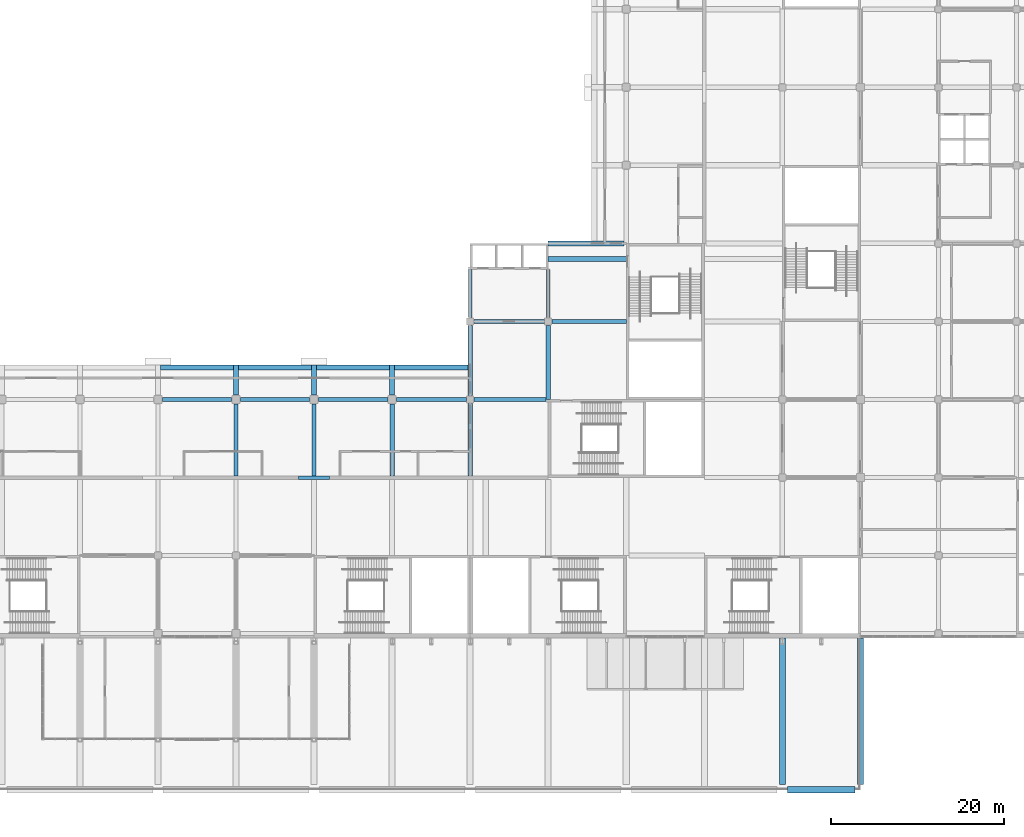
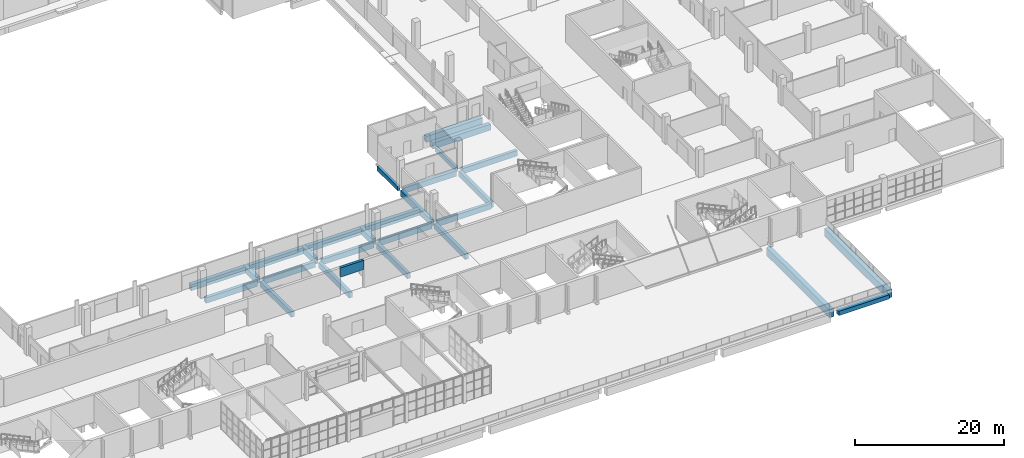
# One storey, part 48 of 168: 28 beams.
"""IFC4 building model written with IfcOpenShell, lengths in metres."""

from ifc_helpers import new_model, si_unit, direction, frame, origin, origin_2d, place, context, subcontext, project, spatial, rectangle, extrude, material, material_profile, profile_set, type_object, element, save


model = new_model("IFC4")

# Units and contexts
model_context = context("Model", 3, precision=1e-05, world=origin(), true_north=direction((0.0, 1.0)))
body_context = subcontext(model_context, "Body", "Model", "MODEL_VIEW")
ifc_project = project(units=[si_unit("LENGTHUNIT", "METRE"), si_unit("AREAUNIT", "SQUARE_METRE"), si_unit("VOLUMEUNIT", "CUBIC_METRE"), si_unit("PLANEANGLEUNIT", "RADIAN"), si_unit("MASSUNIT", "GRAM", prefix="KILO")], contexts=[model_context])

# Site, building, storey
site_placement = place(None, origin())
site = spatial("IfcSite", under=ifc_project, at=site_placement, CompositionType="ELEMENT")
building_placement = place(site_placement, origin())
building = spatial("IfcBuilding", under=site, at=building_placement, Name="Silverbay Arena", CompositionType="ELEMENT")
storey_placement = place(building_placement, frame((0.0, 0.0, 7.0)))
storey = spatial("IfcBuildingStorey", under=building, at=storey_placement, Name="L01", CompositionType="ELEMENT", Elevation=7.0)

# Beams
ifc_material_1 = material(Name="Concrete Grade C45", Category="concrete")
ifc_material_profile_1 = material_profile(ifc_material_1, rectangle(XDim=0.39990234375, YDim=0.699951171875, at=origin_2d()), Name="RC 400x700")
ifc_profile_set_1 = profile_set([ifc_material_profile_1], Name="Concrete Grade C45")
beam_type_1 = type_object("IfcBeamType", Name="RC beam 400x700", PredefinedType="BEAM", material=ifc_profile_set_1)
for number, where, z_axis, x_axis, name in (
    (1, (162.0, 54.449951171875, -0.699951171875), (0.0, 1.0, 0.0), (-1.0, 0.0, 0.0), "Floor beam L01 296"),
    (2, (171.0, 54.449951171875, -0.699951171875), (0.0, 1.0, 0.0), (-1.0, 0.0, 0.0), "Floor beam L01 305"),
):
    element("IfcBeam", number, at=place(storey_placement, frame(where, z_axis=z_axis, x_axis=x_axis)), inside=storey, type_object=beam_type_1, Name=name, PredefinedType="BEAM", context=body_context, shape_type="SweptSolid", body=[
        extrude(rectangle(XDim=0.39990234375, YDim=0.699951171875, at=origin_2d()), origin(), (0.0, 0.0, 1.0), 5.550048828125),
    ])
ifc_material_2 = material(Name="Concrete Grade C45", Category="concrete")
ifc_material_profile_2 = material_profile(ifc_material_2, rectangle(XDim=0.5, YDim=1.0, at=origin_2d()), Name="RC 500x1000")
ifc_profile_set_2 = profile_set([ifc_material_profile_2], Name="Concrete Grade C45")
beam_type_2 = type_object("IfcBeamType", Name="RC beam 500x1000", PredefinedType="BEAM", material=ifc_profile_set_2)
beam_1_placement = place(storey_placement, frame((162.0, 45.449951171875, -0.85009765625), z_axis=(0.0, 1.0, 0.0), x_axis=(-1.0, 0.0, 0.0)))
element("IfcBeam", 3, at=beam_1_placement, inside=storey, type_object=beam_type_2, Name="Floor beam L01 295", PredefinedType="BEAM", context=body_context, shape_type="SweptSolid", body=[
    extrude(rectangle(XDim=0.5, YDim=1.0, at=origin_2d()), origin(), (0.0, 0.0, 1.0), 8.10009765625),
])
ifc_material_3 = material(Name="Concrete Grade C45", Category="concrete")
ifc_material_profile_3 = material_profile(ifc_material_3, rectangle(XDim=0.5, YDim=0.89990234375, at=origin_2d()), Name="RC 500x900")
ifc_profile_set_3 = profile_set([ifc_material_profile_3], Name="Concrete Grade C45")
beam_type_3 = type_object("IfcBeamType", Name="RC beam 500x900", PredefinedType="BEAM", material=ifc_profile_set_3)
for number, where, z_axis, x_axis, name in (
    (4, (126.5, 45.0, -0.800048828125), (1.0, 0.0, 0.0), (0.0, 1.0, 0.0), "Floor beam L01 036"),
    (5, (135.5, 45.0, -0.800048828125), (1.0, 0.0, 0.0), (0.0, 1.0, 0.0), "Floor beam L01 037"),
    (6, (144.5, 45.0, -0.800048828125), (1.0, 0.0, 0.0), (0.0, 1.0, 0.0), "Floor beam L01 038"),
):
    element("IfcBeam", number, at=place(storey_placement, frame(where, z_axis=z_axis, x_axis=x_axis)), inside=storey, type_object=beam_type_3, Name=name, PredefinedType="BEAM", context=body_context, shape_type="SweptSolid", body=[
        extrude(rectangle(XDim=0.5, YDim=0.89990234375, at=origin_2d()), origin(), (0.0, 0.0, 1.0), 8.0),
    ])
beam_2_placement = place(storey_placement, frame((153.5, 45.0, -0.800048828125), z_axis=(1.0, 0.0, 0.0), x_axis=(0.0, 1.0, 0.0)))
element("IfcBeam", 7, at=beam_2_placement, inside=storey, type_object=beam_type_3, Name="Floor beam L01 039", PredefinedType="BEAM", context=body_context, shape_type="SweptSolid", body=[
    extrude(rectangle(XDim=0.5, YDim=0.89990234375, at=origin_2d()), origin(), (0.0, 0.0, 1.0), 8.050048828125),
])
beam_3_placement = place(storey_placement, frame((162.449951171875, 45.0, -0.800048828125), z_axis=(1.0, 0.0, 0.0), x_axis=(0.0, 1.0, 0.0)))
element("IfcBeam", 8, at=beam_3_placement, inside=storey, type_object=beam_type_3, Name="Floor beam L01 040", PredefinedType="BEAM", context=body_context, shape_type="SweptSolid", body=[
    extrude(rectangle(XDim=0.5, YDim=0.89990234375, at=origin_2d()), origin(), (0.0, 0.0, 1.0), 8.300048828125),
])
beam_4_placement = place(storey_placement, frame((162.449951171875, 54.0, -0.800048828125), z_axis=(1.0, 0.0, 0.0), x_axis=(0.0, 1.0, 0.0)))
element("IfcBeam", 9, at=beam_4_placement, inside=storey, type_object=beam_type_3, Name="Floor beam L01 052", PredefinedType="BEAM", context=body_context, shape_type="SweptSolid", body=[
    extrude(rectangle(XDim=0.5, YDim=0.89990234375, at=origin_2d()), origin(), (0.0, 0.0, 1.0), 8.10009765625),
])
beam_5_placement = place(storey_placement, frame((171.449951171875, 54.0, -0.800048828125), z_axis=(1.0, 0.0, 0.0), x_axis=(0.0, 1.0, 0.0)))
element("IfcBeam", 10, at=beam_5_placement, inside=storey, type_object=beam_type_3, Name="Floor beam L01 053", PredefinedType="BEAM", context=body_context, shape_type="SweptSolid", body=[
    extrude(rectangle(XDim=0.5, YDim=0.89990234375, at=origin_2d()), origin(), (0.0, 0.0, 1.0), 8.550048828125),
])
for number, where, z_axis, x_axis, name in (
    (11, (135.0, 36.199951171875, -0.800048828125), (0.0, 1.0, 0.0), (-1.0, 0.0, 0.0), "Floor beam L01 275"),
    (12, (144.0, 36.199951171875, -0.800048828125), (0.0, 1.0, 0.0), (-1.0, 0.0, 0.0), "Floor beam L01 282"),
    (13, (153.0, 36.199951171875, -0.800048828125), (0.0, 1.0, 0.0), (-1.0, 0.0, 0.0), "Floor beam L01 288"),
):
    element("IfcBeam", number, at=place(storey_placement, frame(where, z_axis=z_axis, x_axis=x_axis)), inside=storey, type_object=beam_type_3, Name=name, PredefinedType="BEAM", context=body_context, shape_type="SweptSolid", body=[
        extrude(rectangle(XDim=0.5, YDim=0.89990234375, at=origin_2d()), origin(), (0.0, 0.0, 1.0), 8.300048828125),
    ])
beam_6_placement = place(storey_placement, frame((162.0, 36.199951171875, -0.800048828125), z_axis=(0.0, 1.0, 0.0), x_axis=(-1.0, 0.0, 0.0)))
element("IfcBeam", 14, at=beam_6_placement, inside=storey, type_object=beam_type_3, Name="Floor beam L01 294", PredefinedType="BEAM", context=body_context, shape_type="SweptSolid", body=[
    extrude(rectangle(XDim=0.5, YDim=0.89990234375, at=origin_2d()), origin(), (0.0, 0.0, 1.0), 8.35009765625),
])
beam_7_placement = place(storey_placement, frame((171.0, 45.0, -0.800048828125), z_axis=(0.0, 1.0, 0.0), x_axis=(-1.0, 0.0, 0.0)))
element("IfcBeam", 15, at=beam_7_placement, inside=storey, type_object=beam_type_3, Name="Floor beam L01 304", PredefinedType="BEAM", context=body_context, shape_type="SweptSolid", body=[
    extrude(rectangle(XDim=0.5, YDim=0.89990234375, at=origin_2d()), origin(), (0.0, 0.0, 1.0), 8.550048828125),
])
ifc_material_4 = material(Name="Concrete Grade C45", Category="concrete")
ifc_material_profile_4 = material_profile(ifc_material_4, rectangle(XDim=0.60009765625, YDim=1.0, at=origin_2d()), Name="RC 600x1000")
ifc_profile_set_4 = profile_set([ifc_material_profile_4], Name="Concrete Grade C45")
beam_type_4 = type_object("IfcBeamType", Name="RC beam 600x1000", PredefinedType="BEAM", material=ifc_profile_set_4)
beam_8_placement = place(storey_placement, frame((171.0, 61.199951171875, -0.85009765625), z_axis=(1.0, 0.0, 0.0), x_axis=(0.0, 1.0, 0.0)))
element("IfcBeam", 16, at=beam_8_placement, inside=storey, type_object=beam_type_4, Name="Floor beam L01 060", PredefinedType="BEAM", context=body_context, shape_type="SweptSolid", body=[
    extrude(rectangle(XDim=0.60009765625, YDim=1.0, at=origin_2d()), origin(), (0.0, 0.0, 1.0), 9.0),
])
beam_9_placement = place(storey_placement, frame((171.0, 63.0, -0.85009765625), z_axis=(1.0, 0.0, 0.0), x_axis=(0.0, 1.0, 0.0)))
element("IfcBeam", 17, at=beam_9_placement, inside=storey, type_object=beam_type_4, Name="Floor beam L01 067", PredefinedType="BEAM", context=body_context, shape_type="SweptSolid", body=[
    extrude(rectangle(XDim=0.60009765625, YDim=1.0, at=origin_2d()), origin(), (0.0, 0.0, 1.0), 8.75),
])
for number, where, z_axis, x_axis, name in (
    (18, (135.0, 45.5, -0.85009765625), (0.0, 1.0, 0.0), (-1.0, 0.0, 0.0), "Floor beam L01 276"),
    (19, (144.0, 45.5, -0.85009765625), (0.0, 1.0, 0.0), (-1.0, 0.0, 0.0), "Floor beam L01 283"),
    (20, (153.0, 45.5, -0.85009765625), (0.0, 1.0, 0.0), (-1.0, 0.0, 0.0), "Floor beam L01 289"),
):
    element("IfcBeam", number, at=place(storey_placement, frame(where, z_axis=z_axis, x_axis=x_axis)), inside=storey, type_object=beam_type_4, Name=name, PredefinedType="BEAM", context=body_context, shape_type="SweptSolid", body=[
        extrude(rectangle(XDim=0.60009765625, YDim=1.0, at=origin_2d()), origin(), (0.0, 0.0, 1.0), 3.5),
    ])
for number, where, z_axis, x_axis, name in (
    (21, (126.300048828125, 48.699951171875, -0.85009765625), (1.0, 0.0, 0.0), (0.0, 1.0, 0.0), "Floor beam L01 368"),
    (22, (135.300048828125, 48.699951171875, -0.85009765625), (1.0, 0.0, 0.0), (0.0, 1.0, 0.0), "Floor beam L01 369"),
    (23, (144.300048828125, 48.699951171875, -0.85009765625), (1.0, 0.0, 0.0), (0.0, 1.0, 0.0), "Floor beam L01 370"),
):
    element("IfcBeam", number, at=place(storey_placement, frame(where, z_axis=z_axis, x_axis=x_axis)), inside=storey, type_object=beam_type_4, Name=name, PredefinedType="BEAM", context=body_context, shape_type="SweptSolid", body=[
        extrude(rectangle(XDim=0.60009765625, YDim=1.0, at=origin_2d()), origin(), (0.0, 0.0, 1.0), 8.39990234375),
    ])
beam_10_placement = place(storey_placement, frame((153.300048828125, 48.699951171875, -0.85009765625), z_axis=(1.0, 0.0, 0.0), x_axis=(0.0, 1.0, 0.0)))
element("IfcBeam", 24, at=beam_10_placement, inside=storey, type_object=beam_type_4, Name="Floor beam L01 371", PredefinedType="BEAM", context=body_context, shape_type="SweptSolid", body=[
    extrude(rectangle(XDim=0.60009765625, YDim=1.0, at=origin_2d()), origin(), (0.0, 0.0, 1.0), 8.449951171875),
])
ifc_material_5 = material(Name="Concrete Grade C45", Category="concrete")
ifc_material_profile_5 = material_profile(ifc_material_5, rectangle(XDim=0.699951171875, YDim=0.699951171875, at=origin_2d()), Name="RC 700x700")
ifc_profile_set_5 = profile_set([ifc_material_profile_5], Name="Concrete Grade C45")
beam_type_5 = type_object("IfcBeamType", Name="RC beam 700x700", PredefinedType="BEAM", material=ifc_profile_set_5)
beam_11_placement = place(storey_placement, frame((198.60009765625, 0.0, -0.800048828125), z_axis=(1.0, 0.0, 0.0), x_axis=(0.0, 1.0, 0.0)))
element("IfcBeam", 25, at=beam_11_placement, inside=storey, type_object=beam_type_5, Name="Deck girder 139", PredefinedType="BEAM", context=body_context, shape_type="SweptSolid", body=[
    extrude(rectangle(XDim=0.699951171875, YDim=0.699951171875, at=origin_2d()), origin(), (0.0, 0.0, 1.0), 7.7998046875),
])
ifc_material_6 = material(Name="Concrete Grade C45", Category="concrete")
ifc_material_profile_6 = material_profile(ifc_material_6, rectangle(XDim=0.699951171875, YDim=1.300048828125, at=origin_2d()), Name="RC 700x1300")
ifc_profile_set_6 = profile_set([ifc_material_profile_6], Name="Concrete Grade C45")
beam_type_6 = type_object("IfcBeamType", Name="RC girder 700x1300", PredefinedType="BEAM", material=ifc_profile_set_6)
for number, where, z_axis, x_axis, name in (
    (26, (198.0, 0.60009765625, -1.10009765625), (0.0, 1.0, 0.0), (-1.0, 0.0, 0.0), "Deck secondary beam 135"),
    (27, (207.0, 0.60009765625, -1.10009765625), (0.0, 1.0, 0.0), (-1.0, 0.0, 0.0), "Deck secondary beam 137"),
):
    element("IfcBeam", number, at=place(storey_placement, frame(where, z_axis=z_axis, x_axis=x_axis)), inside=storey, type_object=beam_type_6, Name=name, PredefinedType="BEAM", context=body_context, shape_type="SweptSolid", body=[
        extrude(rectangle(XDim=0.699951171875, YDim=1.300048828125, at=origin_2d()), origin(), (0.0, 0.0, 1.0), 16.89990234375),
    ])
ifc_material_7 = material(Name="Concrete Grade C45", Category="concrete")
ifc_material_profile_7 = material_profile(ifc_material_7, rectangle(XDim=0.39990234375, YDim=1.5, at=origin_2d()), Name="RC 400x1500")
ifc_profile_set_7 = profile_set([ifc_material_profile_7], Name="Concrete Grade C45")
beam_type_7 = type_object("IfcBeamType", Name="RC lintel 400x1500", PredefinedType="BEAM", material=ifc_profile_set_7)
beam_12_placement = place(storey_placement, frame((142.199951171875, 36.0, 3.75), z_axis=(1.0, 0.0, 0.0), x_axis=(0.0, 1.0, 0.0)))
element("IfcBeam", 28, at=beam_12_placement, inside=storey, type_object=beam_type_7, Name="Lintel over portal L01-S144", PredefinedType="BEAM", context=body_context, shape_type="SweptSolid", body=[
    extrude(rectangle(XDim=0.39990234375, YDim=1.5, at=origin_2d()), origin(), (0.0, 0.0, 1.0), 3.60009765625),
])

save(model, "model.ifc")
